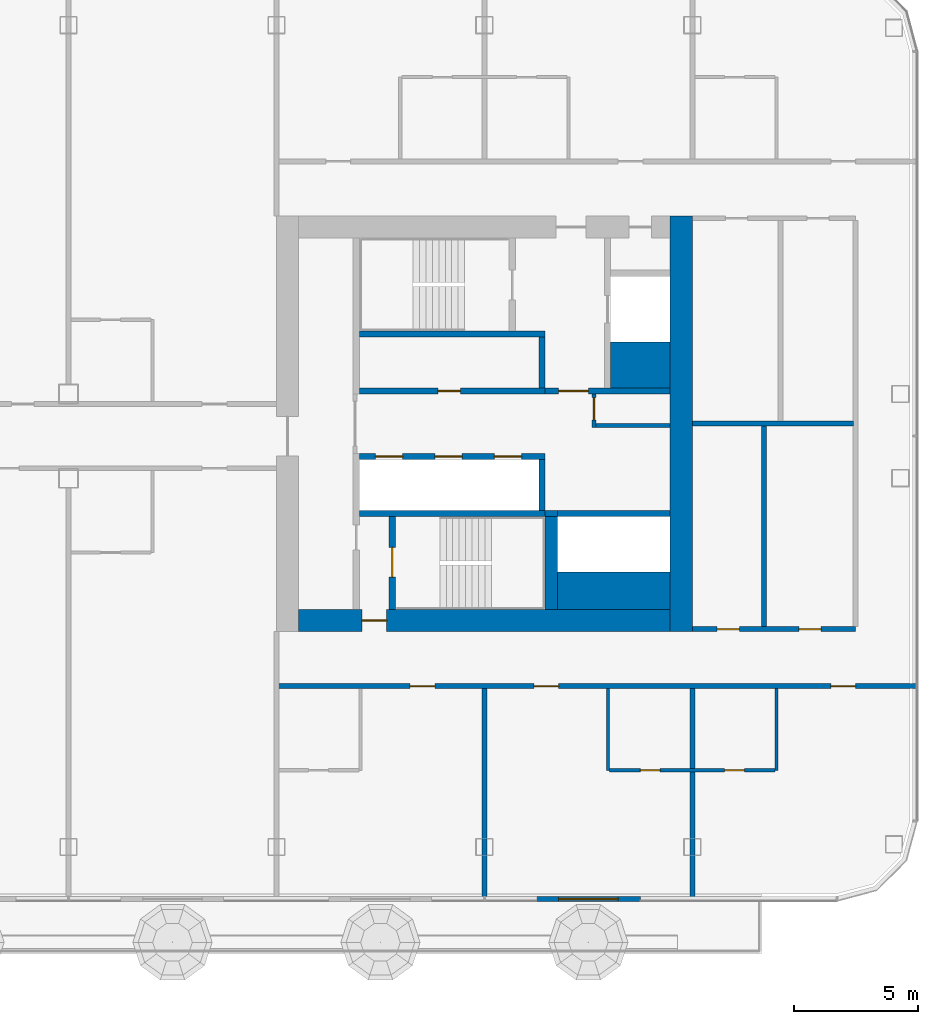
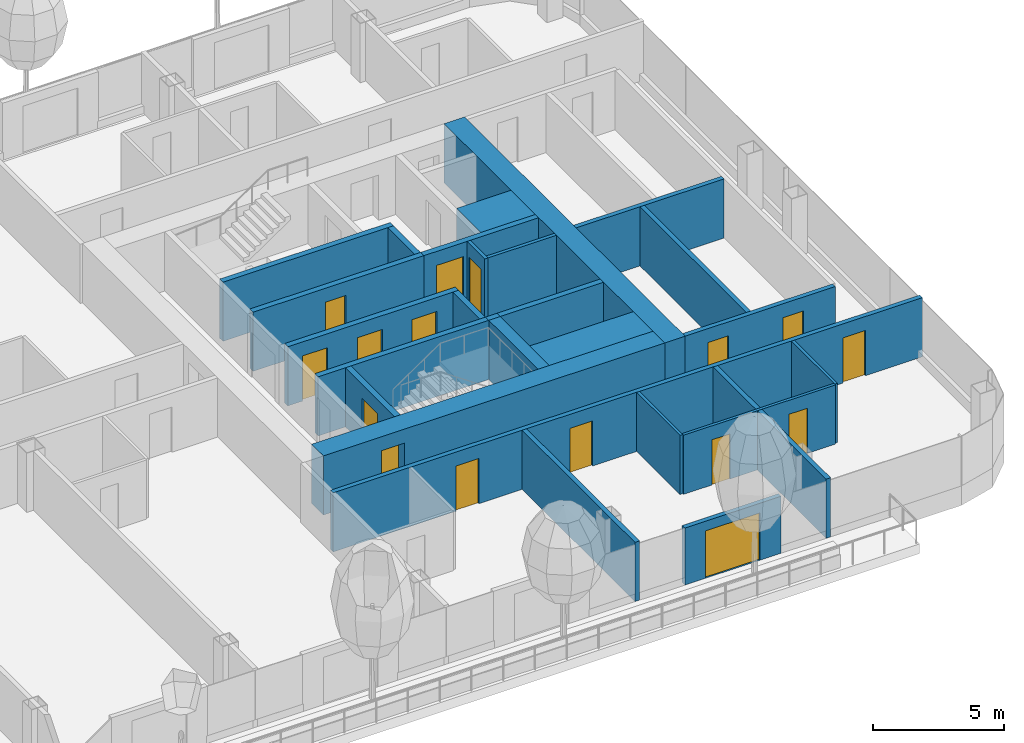
# One storey, part 14 of 29: 27 walls, 16 doors, 16 openings, 1 element without a shape of its own.
"""IFC4 building model written with IfcOpenShell, lengths in metres."""

from ifc_helpers import new_model, si_unit, direction, frame, frame_2d, origin, place, context, subcontext, project, spatial, rectangle, extrude, material, layer, layer_set, type_object, element, fill, aggregate, save


model = new_model("IFC4")

# Units and contexts
model_context = context("Model", 3, precision=1e-05, world=origin(), true_north=direction((0.0, 1.0)))
body_context = subcontext(model_context, "Body", "Model", "MODEL_VIEW")
ifc_project = project(units=[si_unit("LENGTHUNIT", "METRE"), si_unit("AREAUNIT", "SQUARE_METRE"), si_unit("VOLUMEUNIT", "CUBIC_METRE"), si_unit("PLANEANGLEUNIT", "RADIAN"), si_unit("MASSUNIT", "GRAM", prefix="KILO")], contexts=[model_context])

# Site, building, storey
site_placement = place(None, origin())
site = spatial("IfcSite", under=ifc_project, at=site_placement, CompositionType="ELEMENT")
building_placement = place(site_placement, origin())
building = spatial("IfcBuilding", under=site, at=building_placement, Name="Hakoniwa Tower and Hamabe Station Hall", CompositionType="ELEMENT")
storey_placement = place(building_placement, frame((0.0, 0.0, 163.0)))
storey = spatial("IfcBuildingStorey", under=building, at=storey_placement, Name="L46", CompositionType="ELEMENT", Elevation=163.0)

# Wall, openings, doors
ifc_material_1 = material(Name="Gypsum board partition", Category="gypsum")
ifc_layer_1 = layer(ifc_material_1, 0.125)
ifc_layer_set_1 = layer_set([ifc_layer_1], Name="Bathroom Partition 125")
wall_type_1 = type_object("IfcWallType", Name="Bathroom Partition 125", PredefinedType="PARTITIONING", material=ifc_layer_set_1)
wall_1_placement = place(storey_placement, frame((30.262451171875, -14.0, 0.0), z_axis=(0.0, 0.0, 1.0), x_axis=(1.0, 0.0, 0.0)))
wall_1 = element("IfcWall", 1, at=wall_1_placement, inside=storey, type_object=wall_type_1, Name="GW-L46-005", PredefinedType="PARTITIONING", context=body_context, shape_type="SweptSolid", body=[
    extrude(rectangle(XDim=6.675048828125, YDim=0.125, at=frame_2d((3.33740234375, 0.0))), origin(), (0.0, 0.0, 1.0), 2.75),
])
opening_1_placement = place(wall_1_placement, frame((1.237548828125, 0.0, 0.0)))
opening_1 = element("IfcOpeningElement", 2, at=opening_1_placement, cuts=wall_1, Name="Opening GD-G3A2-05", PredefinedType="OPENING", context=body_context, shape_type="SweptSolid", body=[
    extrude(rectangle(XDim=0.800048828125, YDim=2.10009765625, at=frame_2d((0.39990234375, 1.050048828125))), frame((0.0, 0.072509765625, 0.0), z_axis=(0.0, -1.0, 0.0), x_axis=(1.0, 0.0, 0.0)), (0.0, 0.0, 1.0), 0.14501953125),
])
opening_2_placement = place(wall_1_placement, frame((4.637451171875, 0.0, 0.0)))
opening_2 = element("IfcOpeningElement", 3, at=opening_2_placement, cuts=wall_1, Name="Opening GD-G3A2-06", PredefinedType="OPENING", context=body_context, shape_type="SweptSolid", body=[
    extrude(rectangle(XDim=0.800048828125, YDim=2.10009765625, at=frame_2d((0.39990234375, 1.050048828125))), frame((0.0, 0.072509765625, 0.0), z_axis=(0.0, -1.0, 0.0), x_axis=(1.0, 0.0, 0.0)), (0.0, 0.0, 1.0), 0.14501953125),
])
ifc_material_2 = material(Name="Timber door leaf", Category="wood")
door_type_1 = type_object("IfcDoorType", Name="Bathroom Door 800", OperationType="SINGLE_SWING_LEFT", PredefinedType="DOOR", material=ifc_material_2)
door_1_placement = place(opening_1_placement, origin())
door_1 = element("IfcDoor", 4, at=door_1_placement, inside=storey, type_object=door_type_1, Name="Door GD-G3A2-05", OperationType="SINGLE_SWING_LEFT", OverallHeight=2.10009765625, OverallWidth=0.800048828125, PredefinedType="DOOR", context=body_context, shape_type="SweptSolid", body=[
    extrude(rectangle(XDim=0.800048828125, YDim=2.10009765625, at=frame_2d((0.39990234375, 1.050048828125))), frame((0.0, 0.02490234375, 0.0), z_axis=(0.0, -1.0, 0.0), x_axis=(1.0, 0.0, 0.0)), (0.0, 0.0, 1.0), 0.050048828125),
])
fill(opening_1, door_1)
door_2_placement = place(opening_2_placement, origin())
door_2 = element("IfcDoor", 5, at=door_2_placement, inside=storey, type_object=door_type_1, Name="Door GD-G3A2-06", OperationType="SINGLE_SWING_RIGHT", OverallHeight=2.10009765625, OverallWidth=0.800048828125, PredefinedType="DOOR", context=body_context, shape_type="SweptSolid", body=[
    extrude(rectangle(XDim=0.800048828125, YDim=2.10009765625, at=frame_2d((0.39990234375, 1.050048828125))), frame((0.0, 0.02490234375, 0.0), z_axis=(0.0, -1.0, 0.0), x_axis=(1.0, 0.0, 0.0)), (0.0, 0.0, 1.0), 0.050048828125),
])
fill(opening_2, door_2)

# Walls
for number, where, z_axis, x_axis, name in (
    (6, (30.199951171875, -14.0, 0.0), (0.0, 0.0, 1.0), (0.0, 1.0, 0.0), "GW-L46-064"),
    (7, (37.0, -14.0, 0.0), (0.0, 0.0, 1.0), (0.0, 1.0, 0.0), "GW-L46-068"),
):
    element("IfcWall", number, at=place(storey_placement, frame(where, z_axis=z_axis, x_axis=x_axis)), inside=storey, type_object=wall_type_1, Name=name, PredefinedType="PARTITIONING", context=body_context, shape_type="SweptSolid", body=[
        extrude(rectangle(XDim=3.300048828125, YDim=0.125, at=frame_2d((1.64990234375, 0.0))), origin(), (0.0, 0.0, 1.0), 2.75),
    ])

# Wall, opening, door
ifc_material_3 = material(Name="Gypsum board partition")
ifc_layer_2 = layer(ifc_material_3, 0.14990234375)
ifc_layer_set_2 = layer_set([ifc_layer_2], Name="CORE PARTITION 150 EI 60")
wall_type_2 = type_object("IfcWallType", Name="CORE PARTITION 150 EI 60", PredefinedType="PARTITIONING", material=ifc_layer_set_2)
wall_2_placement = place(storey_placement, frame((29.625, -0.14990234375, 0.0), z_axis=(0.0, 0.0, 1.0), x_axis=(0.0, 1.0, 0.0)))
wall_2 = element("IfcWall", 8, at=wall_2_placement, inside=storey, type_object=wall_type_2, Name="Core partition PW0 east", PredefinedType="PARTITIONING", context=body_context, shape_type="SweptSolid", body=[
    extrude(rectangle(XDim=1.349853515625, YDim=0.14990234375, at=frame_2d((0.6748046875, 0.0))), origin(), (0.0, 0.0, 1.0), 2.75),
])
opening_3_placement = place(wall_2_placement, frame((0.300048828125, 0.0, 0.0)))
opening_3 = element("IfcOpeningElement", 9, at=opening_3_placement, cuts=wall_2, Name="Opening CD-E-RM1-9", PredefinedType="OPENING", context=body_context, shape_type="SweptSolid", body=[
    extrude(rectangle(XDim=0.89990234375, YDim=2.10009765625, at=frame_2d((0.449951171875, 1.050048828125))), frame((0.0, 0.0849609375, 0.0), z_axis=(0.0, -1.0, 0.0), x_axis=(1.0, 0.0, 0.0)), (0.0, 0.0, 1.0), 0.169921875),
])
ifc_material_4 = material(Name="Steel fire door", Category="steel")
door_type_2 = type_object("IfcDoorType", Name="CORE DOOR 900 FD30", OperationType="NOTDEFINED", PredefinedType="DOOR", material=ifc_material_4)
door_3_placement = place(opening_3_placement, origin())
door_3 = element("IfcDoor", 10, at=door_3_placement, inside=storey, type_object=door_type_2, Name="Store room door", OperationType="SINGLE_SWING_LEFT", OverallHeight=2.10009765625, OverallWidth=0.89990234375, PredefinedType="DOOR", context=body_context, shape_type="SweptSolid", body=[
    extrude(rectangle(XDim=0.89990234375, YDim=2.10009765625, at=frame_2d((0.449951171875, 1.050048828125))), frame((0.0, 0.02490234375, 0.0), z_axis=(0.0, -1.0, 0.0), x_axis=(1.0, 0.0, 0.0)), (0.0, 0.0, 1.0), 0.050048828125),
])
fill(opening_3, door_3)

# Walls
wall_3_placement = place(storey_placement, frame((29.699951171875, -0.074951171875, 0.0), z_axis=(0.0, 0.0, 1.0), x_axis=(1.0, 0.0, 0.0)))
element("IfcWall", 11, at=wall_3_placement, inside=storey, type_object=wall_type_2, Name="Core partition PS east", PredefinedType="PARTITIONING", context=body_context, shape_type="SweptSolid", body=[
    extrude(rectangle(XDim=3.0, YDim=0.14990234375, at=frame_2d((1.5, 0.0))), origin(), (0.0, 0.0, 1.0), 2.75),
])
ifc_material_5 = material(Name="Concrete C66", Category="concrete")
ifc_layer_3 = layer(ifc_material_5, 0.89990234375)
ifc_layer_set_3 = layer_set([ifc_layer_3], Name="CORE WALL 900 C66")
wall_type_3 = type_object("IfcWallType", Name="CORE WALL 900 C66", PredefinedType="SHEAR", material=ifc_layer_set_3)
wall_4_placement = place(storey_placement, frame((33.14990234375, -8.39990234375, 0.0), z_axis=(0.0, 0.0, 1.0), x_axis=(0.0, 1.0, 0.0)))
element("IfcWall", 12, at=wall_4_placement, inside=storey, type_object=wall_type_3, Name="Core wall OUTER east", PredefinedType="SHEAR", context=body_context, shape_type="SweptSolid", body=[
    extrude(rectangle(XDim=16.7998046875, YDim=0.89990234375, at=frame_2d((8.39990234375, 0.0))), origin(), (0.0, 0.0, 1.0), 2.75),
])

# Wall, opening, door
wall_5_placement = place(storey_placement, frame((17.699951171875, -7.949951171875, 0.0), z_axis=(0.0, 0.0, 1.0), x_axis=(1.0, 0.0, 0.0)))
wall_5 = element("IfcWall", 13, at=wall_5_placement, inside=storey, type_object=wall_type_3, Name="Core wall SOUTH east", PredefinedType="SHEAR", context=body_context, shape_type="SweptSolid", body=[
    extrude(rectangle(XDim=15.0, YDim=0.89990234375, at=frame_2d((7.5, 0.0))), origin(), (0.0, 0.0, 1.0), 2.75),
])
opening_4_placement = place(wall_5_placement, frame((2.550048828125, 0.0, 0.0)))
opening_4 = element("IfcOpeningElement", 14, at=opening_4_placement, cuts=wall_5, Name="Opening CD-E-FS3-10", PredefinedType="OPENING", context=body_context, shape_type="SweptSolid", body=[
    extrude(rectangle(XDim=1.0, YDim=2.10009765625, at=frame_2d((0.5, 1.050048828125))), frame((0.0, 0.4599609375, 0.0), z_axis=(0.0, -1.0, 0.0), x_axis=(1.0, 0.0, 0.0)), (0.0, 0.0, 1.0), 0.919921875),
])
ifc_material_6 = material(Name="Steel fire door", Category="steel")
door_type_3 = type_object("IfcDoorType", Name="CORE DOOR 1000 FD60", OperationType="NOTDEFINED", PredefinedType="DOOR", material=ifc_material_6)
door_4_placement = place(opening_4_placement, origin())
door_4 = element("IfcDoor", 15, at=door_4_placement, inside=storey, type_object=door_type_3, Name="Stair vestibule door", OperationType="SINGLE_SWING_LEFT", OverallHeight=2.10009765625, OverallWidth=1.0, PredefinedType="DOOR", context=body_context, shape_type="SweptSolid", body=[
    extrude(rectangle(XDim=1.0, YDim=2.10009765625, at=frame_2d((0.5, 1.050048828125))), frame((0.0, 0.02490234375, 0.0), z_axis=(0.0, -1.0, 0.0), x_axis=(1.0, 0.0, 0.0)), (0.0, 0.0, 1.0), 0.050048828125),
])
fill(opening_4, door_4)

# Walls
ifc_material_7 = material(Name="Concrete C66", Category="concrete")
ifc_layer_4 = layer(ifc_material_7, 1.5)
ifc_layer_set_4 = layer_set([ifc_layer_4], Name="CORE WEB WALL 1500 C66")
wall_type_4 = type_object("IfcWallType", Name="CORE WEB WALL 1500 C66", PredefinedType="SHEAR", material=ifc_layer_set_4)
wall_6_placement = place(storey_placement, frame((28.14990234375, -6.75, 0.0), z_axis=(0.0, 0.0, 1.0), x_axis=(1.0, 0.0, 0.0)))
element("IfcWall", 16, at=wall_6_placement, inside=storey, type_object=wall_type_4, Name="Core wall SER east", PredefinedType="SHEAR", context=body_context, shape_type="SweptSolid", body=[
    extrude(rectangle(XDim=4.550048828125, YDim=1.5, at=frame_2d((2.27490234375, 0.0))), origin(), (0.0, 0.0, 1.0), 2.75),
])
ifc_material_8 = material(Name="Concrete C66", Category="concrete")
ifc_layer_5 = layer(ifc_material_8, 1.85009765625)
ifc_layer_set_5 = layer_set([ifc_layer_5], Name="CORE WEB WALL 1850 C66")
wall_type_5 = type_object("IfcWallType", Name="CORE WEB WALL 1850 C66", PredefinedType="SHEAR", material=ifc_layer_set_5)
wall_7_placement = place(storey_placement, frame((30.300048828125, 2.375, 0.0), z_axis=(0.0, 0.0, 1.0), x_axis=(1.0, 0.0, 0.0)))
element("IfcWall", 17, at=wall_7_placement, inside=storey, type_object=wall_type_5, Name="Core wall CA east", PredefinedType="SHEAR", context=body_context, shape_type="SweptSolid", body=[
    extrude(rectangle(XDim=2.39990234375, YDim=1.85009765625, at=frame_2d((1.199951171875, 0.0))), origin(), (0.0, 0.0, 1.0), 2.75),
])

# Wall, opening, door
ifc_material_9 = material(Name="Concrete C66", Category="concrete")
ifc_layer_6 = layer(ifc_material_9, 0.25)
ifc_layer_set_6 = layer_set([ifc_layer_6], Name="CORE WEB WALL 250 C66")
wall_type_6 = type_object("IfcWallType", Name="CORE WEB WALL 250 C66", PredefinedType="SHEAR", material=ifc_layer_set_6)
wall_8_placement = place(storey_placement, frame((20.14990234375, 1.324951171875, 0.0), z_axis=(0.0, 0.0, 1.0), x_axis=(1.0, 0.0, 0.0)))
wall_8 = element("IfcWall", 18, at=wall_8_placement, inside=storey, type_object=wall_type_6, Name="Core wall NF east", PredefinedType="SHEAR", context=body_context, shape_type="SweptSolid", body=[
    extrude(rectangle(XDim=7.5, YDim=0.25, at=frame_2d((3.75, 0.0))), origin(), (0.0, 0.0, 1.0), 2.75),
])
opening_5_placement = place(wall_8_placement, frame((3.175048828125, 0.0, 0.0)))
opening_5 = element("IfcOpeningElement", 19, at=opening_5_placement, cuts=wall_8, Name="Opening CD-E-FRLR0-9", PredefinedType="OPENING", context=body_context, shape_type="SweptSolid", body=[
    extrude(rectangle(XDim=0.89990234375, YDim=2.10009765625, at=frame_2d((0.449951171875, 1.050048828125))), frame((0.0, 0.135009765625, 0.0), z_axis=(0.0, -1.0, 0.0), x_axis=(1.0, 0.0, 0.0)), (0.0, 0.0, 1.0), 0.27001953125),
])
door_5_placement = place(opening_5_placement, origin())
door_5 = element("IfcDoor", 20, at=door_5_placement, inside=storey, type_object=door_type_2, Name="Store room door", OperationType="SINGLE_SWING_LEFT", OverallHeight=2.10009765625, OverallWidth=0.89990234375, PredefinedType="DOOR", context=body_context, shape_type="SweptSolid", body=[
    extrude(rectangle(XDim=0.89990234375, YDim=2.10009765625, at=frame_2d((0.449951171875, 1.050048828125))), frame((0.0, 0.02490234375, 0.0), z_axis=(0.0, -1.0, 0.0), x_axis=(1.0, 0.0, 0.0)), (0.0, 0.0, 1.0), 0.050048828125),
])
fill(opening_5, door_5)

# Walls
wall_9_placement = place(storey_placement, frame((27.52490234375, 1.449951171875, 0.0), z_axis=(0.0, 0.0, 1.0), x_axis=(0.0, 1.0, 0.0)))
element("IfcWall", 21, at=wall_9_placement, inside=storey, type_object=wall_type_6, Name="Core wall NE east", PredefinedType="SHEAR", context=body_context, shape_type="SweptSolid", body=[
    extrude(rectangle(XDim=2.050048828125, YDim=0.25, at=frame_2d((1.02490234375, 0.0))), origin(), (0.0, 0.0, 1.0), 2.75),
])
wall_10_placement = place(storey_placement, frame((20.14990234375, 3.625, 0.0), z_axis=(0.0, 0.0, 1.0), x_axis=(1.0, 0.0, 0.0)))
element("IfcWall", 22, at=wall_10_placement, inside=storey, type_object=wall_type_6, Name="Core wall NR east", PredefinedType="SHEAR", context=body_context, shape_type="SweptSolid", body=[
    extrude(rectangle(XDim=7.5, YDim=0.25, at=frame_2d((3.75, 0.0))), origin(), (0.0, 0.0, 1.0), 2.75),
])

# Wall, opening, door
wall_11_placement = place(storey_placement, frame((27.64990234375, 1.324951171875, 0.0), z_axis=(0.0, 0.0, 1.0), x_axis=(1.0, 0.0, 0.0)))
wall_11 = element("IfcWall", 23, at=wall_11_placement, inside=storey, type_object=wall_type_6, Name="Core wall ELN east", PredefinedType="SHEAR", context=body_context, shape_type="SweptSolid", body=[
    extrude(rectangle(XDim=5.050048828125, YDim=0.25, at=frame_2d((2.52490234375, 0.0))), origin(), (0.0, 0.0, 1.0), 2.75),
])
opening_6_placement = place(wall_11_placement, frame((0.550048828125, 0.0, 0.0)))
opening_6 = element("IfcOpeningElement", 24, at=opening_6_placement, cuts=wall_11, Name="Opening CD-E-FL-12", PredefinedType="OPENING", context=body_context, shape_type="SweptSolid", body=[
    extrude(rectangle(XDim=1.199951171875, YDim=2.10009765625, at=frame_2d((0.60009765625, 1.050048828125))), frame((0.0, 0.135009765625, 0.0), z_axis=(0.0, -1.0, 0.0), x_axis=(1.0, 0.0, 0.0)), (0.0, 0.0, 1.0), 0.27001953125),
])
ifc_material_10 = material(Name="Steel fire door", Category="steel")
door_type_4 = type_object("IfcDoorType", Name="CORE DOOR 1200 FD60", OperationType="DOUBLE_DOOR_SINGLE_SWING", PredefinedType="DOOR", material=ifc_material_10)
door_6_placement = place(opening_6_placement, origin())
door_6 = element("IfcDoor", 25, at=door_6_placement, inside=storey, type_object=door_type_4, Name="Stair vestibule door to the fire-fighting lobby", OperationType="DOUBLE_DOOR_SINGLE_SWING", OverallHeight=2.10009765625, OverallWidth=1.199951171875, PredefinedType="DOOR", context=body_context, shape_type="SweptSolid", body=[
    extrude(rectangle(XDim=1.199951171875, YDim=2.10009765625, at=frame_2d((0.60009765625, 1.050048828125))), frame((0.0, 0.02490234375, 0.0), z_axis=(0.0, -1.0, 0.0), x_axis=(1.0, 0.0, 0.0)), (0.0, 0.0, 1.0), 0.050048828125),
])
fill(opening_6, door_6)

# Wall, openings, doors
wall_12_placement = place(storey_placement, frame((20.14990234375, -1.324951171875, 0.0), z_axis=(0.0, 0.0, 1.0), x_axis=(1.0, 0.0, 0.0)))
wall_12 = element("IfcWall", 26, at=wall_12_placement, inside=storey, type_object=wall_type_6, Name="Core wall SF east", PredefinedType="SHEAR", context=body_context, shape_type="SweptSolid", body=[
    extrude(rectangle(XDim=7.5, YDim=0.25, at=frame_2d((3.75, 0.0))), origin(), (0.0, 0.0, 1.0), 2.75),
])
opening_7_placement = place(wall_12_placement, frame((0.64990234375, 0.0, 0.0)))
opening_7 = element("IfcOpeningElement", 27, at=opening_7_placement, cuts=wall_12, Name="Opening LD-HR4", PredefinedType="OPENING", context=body_context, shape_type="SweptSolid", body=[
    extrude(rectangle(XDim=1.10009765625, YDim=2.10009765625, at=frame_2d((0.550048828125, 1.050048828125))), frame((0.0, 0.135009765625, 0.0), z_axis=(0.0, -1.0, 0.0), x_axis=(1.0, 0.0, 0.0)), (0.0, 0.0, 1.0), 0.27001953125),
])
opening_8_placement = place(wall_12_placement, frame((3.050048828125, 0.0, 0.0)))
opening_8 = element("IfcOpeningElement", 28, at=opening_8_placement, cuts=wall_12, Name="Opening LD-HR5", PredefinedType="OPENING", context=body_context, shape_type="SweptSolid", body=[
    extrude(rectangle(XDim=1.10009765625, YDim=2.10009765625, at=frame_2d((0.550048828125, 1.050048828125))), frame((0.0, 0.135009765625, 0.0), z_axis=(0.0, -1.0, 0.0), x_axis=(1.0, 0.0, 0.0)), (0.0, 0.0, 1.0), 0.27001953125),
])
opening_9_placement = place(wall_12_placement, frame((5.449951171875, 0.0, 0.0)))
opening_9 = element("IfcOpeningElement", 29, at=opening_9_placement, cuts=wall_12, Name="Opening LD-HR6", PredefinedType="OPENING", context=body_context, shape_type="SweptSolid", body=[
    extrude(rectangle(XDim=1.10009765625, YDim=2.10009765625, at=frame_2d((0.550048828125, 1.050048828125))), frame((0.0, 0.135009765625, 0.0), z_axis=(0.0, -1.0, 0.0), x_axis=(1.0, 0.0, 0.0)), (0.0, 0.0, 1.0), 0.27001953125),
])
ifc_material_11 = material(Name="Stainless steel SUS304", Category="steel")
door_type_5 = type_object("IfcDoorType", Name="LIFT LANDING DOOR 1100 FD60", OperationType="DOUBLE_DOOR_SLIDING", PredefinedType="DOOR", material=ifc_material_11)
door_7_placement = place(opening_7_placement, origin())
door_7 = element("IfcDoor", 30, at=door_7_placement, inside=storey, type_object=door_type_5, Name="Lift landing door HR4 L46", OperationType="DOUBLE_DOOR_SLIDING", OverallHeight=2.10009765625, OverallWidth=1.10009765625, PredefinedType="DOOR", context=body_context, shape_type="SweptSolid", body=[
    extrude(rectangle(XDim=1.10009765625, YDim=2.10009765625, at=frame_2d((0.550048828125, 1.050048828125))), frame((0.0, 0.02490234375, 0.0), z_axis=(0.0, -1.0, 0.0), x_axis=(1.0, 0.0, 0.0)), (0.0, 0.0, 1.0), 0.050048828125),
])
fill(opening_7, door_7)
door_8_placement = place(opening_8_placement, origin())
door_8 = element("IfcDoor", 31, at=door_8_placement, inside=storey, type_object=door_type_5, Name="Lift landing door HR5 L46", OperationType="DOUBLE_DOOR_SLIDING", OverallHeight=2.10009765625, OverallWidth=1.10009765625, PredefinedType="DOOR", context=body_context, shape_type="SweptSolid", body=[
    extrude(rectangle(XDim=1.10009765625, YDim=2.10009765625, at=frame_2d((0.550048828125, 1.050048828125))), frame((0.0, 0.02490234375, 0.0), z_axis=(0.0, -1.0, 0.0), x_axis=(1.0, 0.0, 0.0)), (0.0, 0.0, 1.0), 0.050048828125),
])
fill(opening_8, door_8)
door_9_placement = place(opening_9_placement, origin())
door_9 = element("IfcDoor", 32, at=door_9_placement, inside=storey, type_object=door_type_5, Name="Lift landing door HR6 L46", OperationType="DOUBLE_DOOR_SLIDING", OverallHeight=2.10009765625, OverallWidth=1.10009765625, PredefinedType="DOOR", context=body_context, shape_type="SweptSolid", body=[
    extrude(rectangle(XDim=1.10009765625, YDim=2.10009765625, at=frame_2d((0.550048828125, 1.050048828125))), frame((0.0, 0.02490234375, 0.0), z_axis=(0.0, -1.0, 0.0), x_axis=(1.0, 0.0, 0.0)), (0.0, 0.0, 1.0), 0.050048828125),
])
fill(opening_9, door_9)

# Walls
wall_13_placement = place(storey_placement, frame((27.52490234375, -3.5, 0.0), z_axis=(0.0, 0.0, 1.0), x_axis=(0.0, 1.0, 0.0)))
element("IfcWall", 33, at=wall_13_placement, inside=storey, type_object=wall_type_6, Name="Core wall SE east", PredefinedType="SHEAR", context=body_context, shape_type="SweptSolid", body=[
    extrude(rectangle(XDim=2.050048828125, YDim=0.25, at=frame_2d((1.02490234375, 0.0))), origin(), (0.0, 0.0, 1.0), 2.75),
])
wall_14_placement = place(storey_placement, frame((20.14990234375, -3.625, 0.0), z_axis=(0.0, 0.0, 1.0), x_axis=(1.0, 0.0, 0.0)))
element("IfcWall", 34, at=wall_14_placement, inside=storey, type_object=wall_type_6, Name="Core wall SR east", PredefinedType="SHEAR", context=body_context, shape_type="SweptSolid", body=[
    extrude(rectangle(XDim=7.5, YDim=0.25, at=frame_2d((3.75, 0.0))), origin(), (0.0, 0.0, 1.0), 2.75),
])

# Wall, opening, door
wall_15_placement = place(storey_placement, frame((21.47509765625, -7.5, 0.0), z_axis=(0.0, 0.0, 1.0), x_axis=(0.0, 1.0, 0.0)))
wall_15 = element("IfcWall", 35, at=wall_15_placement, inside=storey, type_object=wall_type_6, Name="Core wall VE east", PredefinedType="SHEAR", context=body_context, shape_type="SweptSolid", body=[
    extrude(rectangle(XDim=3.75, YDim=0.25, at=frame_2d((1.875, 0.0))), origin(), (0.0, 0.0, 1.0), 2.75),
])
opening_10_placement = place(wall_15_placement, frame((1.300048828125, 0.0, 0.0)))
opening_10 = element("IfcOpeningElement", 36, at=opening_10_placement, cuts=wall_15, Name="Opening CD-E-SS-12", PredefinedType="OPENING", context=body_context, shape_type="SweptSolid", body=[
    extrude(rectangle(XDim=1.199951171875, YDim=2.10009765625, at=frame_2d((0.60009765625, 1.050048828125))), frame((0.0, 0.135009765625, 0.0), z_axis=(0.0, -1.0, 0.0), x_axis=(1.0, 0.0, 0.0)), (0.0, 0.0, 1.0), 0.27001953125),
])
door_10_placement = place(opening_10_placement, origin())
door_10 = element("IfcDoor", 37, at=door_10_placement, inside=storey, type_object=door_type_4, Name="Escape stair door", OperationType="DOUBLE_DOOR_SINGLE_SWING", OverallHeight=2.10009765625, OverallWidth=1.199951171875, PredefinedType="DOOR", context=body_context, shape_type="SweptSolid", body=[
    extrude(rectangle(XDim=1.199951171875, YDim=2.10009765625, at=frame_2d((0.60009765625, 1.050048828125))), frame((0.0, 0.02490234375, 0.0), z_axis=(0.0, -1.0, 0.0), x_axis=(1.0, 0.0, 0.0)), (0.0, 0.0, 1.0), 0.050048828125),
])
fill(opening_10, door_10)

# Walls
wall_16_placement = place(storey_placement, frame((28.14990234375, -3.625, 0.0), z_axis=(0.0, 0.0, 1.0), x_axis=(1.0, 0.0, 0.0)))
element("IfcWall", 38, at=wall_16_placement, inside=storey, type_object=wall_type_6, Name="Core wall SEF east", PredefinedType="SHEAR", context=body_context, shape_type="SweptSolid", body=[
    extrude(rectangle(XDim=4.550048828125, YDim=0.25, at=frame_2d((2.27490234375, 0.0))), origin(), (0.0, 0.0, 1.0), 2.75),
])
wall_17_placement = place(storey_placement, frame((27.64990234375, -3.625, 0.0), z_axis=(0.0, 0.0, 1.0), x_axis=(1.0, 0.0, 0.0)))
element("IfcWall", 39, at=wall_17_placement, inside=storey, type_object=wall_type_6, Name="Core wall SRK east", PredefinedType="SHEAR", context=body_context, shape_type="SweptSolid", body=[
    extrude(rectangle(XDim=0.5, YDim=0.25, at=frame_2d((0.25, 0.0))), origin(), (0.0, 0.0, 1.0), 2.75),
])
ifc_material_12 = material(Name="Concrete C66", Category="concrete")
ifc_layer_7 = layer(ifc_material_12, 0.5)
ifc_layer_set_7 = layer_set([ifc_layer_7], Name="CORE WEB WALL 500 C66")
wall_type_7 = type_object("IfcWallType", Name="CORE WEB WALL 500 C66", PredefinedType="SHEAR", material=ifc_layer_set_7)
wall_18_placement = place(storey_placement, frame((27.89990234375, -7.5, 0.0), z_axis=(0.0, 0.0, 1.0), x_axis=(0.0, 1.0, 0.0)))
element("IfcWall", 40, at=wall_18_placement, inside=storey, type_object=wall_type_7, Name="Core wall SSE east", PredefinedType="SHEAR", context=body_context, shape_type="SweptSolid", body=[
    extrude(rectangle(XDim=3.75, YDim=0.5, at=frame_2d((1.875, 0.0))), origin(), (0.0, 0.0, 1.0), 2.75),
])

# Wall, openings, doors
ifc_material_13 = material(Name="Fire-rated gypsum board partition", Category="gypsum")
ifc_layer_8 = layer(ifc_material_13, 0.199951171875)
ifc_layer_set_8 = layer_set([ifc_layer_8], Name="Corridor Wall 200")
wall_type_8 = type_object("IfcWallType", Name="Corridor Wall 200", PredefinedType="PARTITIONING", material=ifc_layer_set_8)
wall_19_placement = place(storey_placement, frame((16.800048828125, -10.60009765625, 0.0), z_axis=(0.0, 0.0, 1.0), x_axis=(1.0, 0.0, 0.0)))
wall_19 = element("IfcWall", 41, at=wall_19_placement, inside=storey, type_object=wall_type_8, Name="GW-L46-007", PredefinedType="PARTITIONING", context=body_context, shape_type="SweptSolid", body=[
    extrude(rectangle(XDim=25.89990234375, YDim=0.199951171875, at=frame_2d((12.949951171875, 0.0))), origin(), (0.0, 0.0, 1.0), 2.75),
])
opening_11_placement = place(wall_19_placement, frame((5.39990234375, 0.0, 0.0)))
opening_11 = element("IfcOpeningElement", 42, at=opening_11_placement, cuts=wall_19, Name="Opening GD-G3A2-10", PredefinedType="OPENING", context=body_context, shape_type="SweptSolid", body=[
    extrude(rectangle(XDim=1.0, YDim=2.10009765625, at=frame_2d((0.5, 1.050048828125))), frame((0.0, 0.10986328125, 0.0), z_axis=(0.0, -1.0, 0.0), x_axis=(1.0, 0.0, 0.0)), (0.0, 0.0, 1.0), 0.219970703125),
])
opening_12_placement = place(wall_19_placement, frame((10.39990234375, 0.0, 0.0)))
opening_12 = element("IfcOpeningElement", 43, at=opening_12_placement, cuts=wall_19, Name="Opening GD-G3A2-11", PredefinedType="OPENING", context=body_context, shape_type="SweptSolid", body=[
    extrude(rectangle(XDim=1.0, YDim=2.10009765625, at=frame_2d((0.5, 1.050048828125))), frame((0.0, 0.10986328125, 0.0), z_axis=(0.0, -1.0, 0.0), x_axis=(1.0, 0.0, 0.0)), (0.0, 0.0, 1.0), 0.219970703125),
])
opening_13_placement = place(wall_19_placement, frame((22.39990234375, 0.0, 0.0)))
opening_13 = element("IfcOpeningElement", 44, at=opening_13_placement, cuts=wall_19, Name="Opening GD-G3A2-12", PredefinedType="OPENING", context=body_context, shape_type="SweptSolid", body=[
    extrude(rectangle(XDim=1.0, YDim=2.10009765625, at=frame_2d((0.5, 1.050048828125))), frame((0.0, 0.10986328125, 0.0), z_axis=(0.0, -1.0, 0.0), x_axis=(1.0, 0.0, 0.0)), (0.0, 0.0, 1.0), 0.219970703125),
])
ifc_material_14 = material(Name="Timber door leaf", Category="wood")
door_type_6 = type_object("IfcDoorType", Name="Guest Entrance Door 1000", OperationType="SINGLE_SWING_LEFT", PredefinedType="DOOR", material=ifc_material_14)
door_11_placement = place(opening_11_placement, origin())
door_11 = element("IfcDoor", 45, at=door_11_placement, inside=storey, type_object=door_type_6, Name="Door GD-G3A2-10", OperationType="SINGLE_SWING_RIGHT", OverallHeight=2.10009765625, OverallWidth=1.0, PredefinedType="DOOR", context=body_context, shape_type="SweptSolid", body=[
    extrude(rectangle(XDim=1.0, YDim=2.10009765625, at=frame_2d((0.5, 1.050048828125))), frame((0.0, 0.02490234375, 0.0), z_axis=(0.0, -1.0, 0.0), x_axis=(1.0, 0.0, 0.0)), (0.0, 0.0, 1.0), 0.050048828125),
])
fill(opening_11, door_11)
door_12_placement = place(opening_12_placement, origin())
door_12 = element("IfcDoor", 46, at=door_12_placement, inside=storey, type_object=door_type_6, Name="Door GD-G3A2-11", OperationType="SINGLE_SWING_LEFT", OverallHeight=2.10009765625, OverallWidth=1.0, PredefinedType="DOOR", context=body_context, shape_type="SweptSolid", body=[
    extrude(rectangle(XDim=1.0, YDim=2.10009765625, at=frame_2d((0.5, 1.050048828125))), frame((0.0, 0.02490234375, 0.0), z_axis=(0.0, -1.0, 0.0), x_axis=(1.0, 0.0, 0.0)), (0.0, 0.0, 1.0), 0.050048828125),
])
fill(opening_12, door_12)
door_13_placement = place(opening_13_placement, origin())
door_13 = element("IfcDoor", 47, at=door_13_placement, inside=storey, type_object=door_type_6, Name="Door GD-G3A2-12", OperationType="SINGLE_SWING_RIGHT", OverallHeight=2.10009765625, OverallWidth=1.0, PredefinedType="DOOR", context=body_context, shape_type="SweptSolid", body=[
    extrude(rectangle(XDim=1.0, YDim=2.10009765625, at=frame_2d((0.5, 1.050048828125))), frame((0.0, 0.02490234375, 0.0), z_axis=(0.0, -1.0, 0.0), x_axis=(1.0, 0.0, 0.0)), (0.0, 0.0, 1.0), 0.050048828125),
])
fill(opening_13, door_13)

wall_20_placement = place(storey_placement, frame((33.60009765625, -8.300048828125, 0.0), z_axis=(0.0, 0.0, 1.0), x_axis=(1.0, 0.0, 0.0)))
wall_20 = element("IfcWall", 48, at=wall_20_placement, inside=storey, type_object=wall_type_8, Name="GW-L46-009", PredefinedType="PARTITIONING", context=body_context, shape_type="SweptSolid", body=[
    extrude(rectangle(XDim=6.599853515625, YDim=0.199951171875, at=frame_2d((3.2998046875, 0.0))), origin(), (0.0, 0.0, 1.0), 2.75),
])
opening_14_placement = place(wall_20_placement, frame((1.0, 0.0, 0.0)))
opening_14 = element("IfcOpeningElement", 49, at=opening_14_placement, cuts=wall_20, Name="Opening GD-G3A2-15", PredefinedType="OPENING", context=body_context, shape_type="SweptSolid", body=[
    extrude(rectangle(XDim=0.89990234375, YDim=2.10009765625, at=frame_2d((0.449951171875, 1.050048828125))), frame((0.0, 0.10986328125, 0.0), z_axis=(0.0, -1.0, 0.0), x_axis=(1.0, 0.0, 0.0)), (0.0, 0.0, 1.0), 0.219970703125),
])
opening_15_placement = place(wall_20_placement, frame((4.300048828125, 0.0, 0.0)))
opening_15 = element("IfcOpeningElement", 50, at=opening_15_placement, cuts=wall_20, Name="Opening GD-G3A2-16", PredefinedType="OPENING", context=body_context, shape_type="SweptSolid", body=[
    extrude(rectangle(XDim=0.89990234375, YDim=2.10009765625, at=frame_2d((0.449951171875, 1.050048828125))), frame((0.0, 0.10986328125, 0.0), z_axis=(0.0, -1.0, 0.0), x_axis=(1.0, 0.0, 0.0)), (0.0, 0.0, 1.0), 0.219970703125),
])
ifc_material_15 = material(Name="Timber door leaf", Category="wood")
door_type_7 = type_object("IfcDoorType", Name="Service Door 900", OperationType="SINGLE_SWING_LEFT", PredefinedType="DOOR", material=ifc_material_15)
door_14_placement = place(opening_14_placement, origin())
door_14 = element("IfcDoor", 51, at=door_14_placement, inside=storey, type_object=door_type_7, Name="Door GD-G3A2-15", OperationType="SINGLE_SWING_LEFT", OverallHeight=2.10009765625, OverallWidth=0.89990234375, PredefinedType="DOOR", context=body_context, shape_type="SweptSolid", body=[
    extrude(rectangle(XDim=0.89990234375, YDim=2.10009765625, at=frame_2d((0.449951171875, 1.050048828125))), frame((0.0, 0.02490234375, 0.0), z_axis=(0.0, -1.0, 0.0), x_axis=(1.0, 0.0, 0.0)), (0.0, 0.0, 1.0), 0.050048828125),
])
fill(opening_14, door_14)
door_15_placement = place(opening_15_placement, origin())
door_15 = element("IfcDoor", 52, at=door_15_placement, inside=storey, type_object=door_type_7, Name="Door GD-G3A2-16", OperationType="SINGLE_SWING_LEFT", OverallHeight=2.10009765625, OverallWidth=0.89990234375, PredefinedType="DOOR", context=body_context, shape_type="SweptSolid", body=[
    extrude(rectangle(XDim=0.89990234375, YDim=2.10009765625, at=frame_2d((0.449951171875, 1.050048828125))), frame((0.0, 0.02490234375, 0.0), z_axis=(0.0, -1.0, 0.0), x_axis=(1.0, 0.0, 0.0)), (0.0, 0.0, 1.0), 0.050048828125),
])
fill(opening_15, door_15)

# Curtain wall, wall, opening, door
ifc_material_16 = material(Name="Dark low-e laminated glass", Category="glass")
ifc_layer_9 = layer(ifc_material_16, 0.199951171875)
ifc_layer_set_9 = layer_set([ifc_layer_9], Name="CW-1 UNITISED GUEST")
curtain_wall_type = type_object("IfcCurtainWallType", Name="CW-1 UNITISED GUEST", PredefinedType="NOTDEFINED", material=ifc_layer_set_9)
curtain_wall_placement = place(storey_placement, origin())
curtain_wall = element("IfcCurtainWall", 53, at=curtain_wall_placement, inside=storey, type_object=curtain_wall_type, Name="CW-1 curtain wall", PredefinedType="NOTDEFINED")
ifc_material_17 = material(Name="Dark glass-faced aluminium panel", Category="aluminium")
ifc_layer_10 = layer(ifc_material_17, 0.199951171875)
ifc_layer_set_10 = layer_set([ifc_layer_10], Name="DOOR BAY WALL")
wall_type_9 = type_object("IfcWallType", Name="DOOR BAY WALL", PredefinedType="NOTDEFINED", material=ifc_layer_set_10)
wall_21_placement = place(storey_placement, frame((27.2900390625, -19.199951171875, 0.0), z_axis=(0.0, 0.0, 1.0), x_axis=(1.0, 0.0, 0.0)))
wall_21 = element("IfcWall", 54, at=wall_21_placement, type_object=wall_type_9, Name="Door bay wall", PredefinedType="NOTDEFINED", context=body_context, shape_type="SweptSolid", body=[
    extrude(rectangle(XDim=4.219970703125, YDim=0.199951171875, at=frame_2d((2.10986328125, 0.0))), origin(), (0.0, 0.0, 1.0), 2.64990234375),
])
opening_16_placement = place(wall_21_placement, frame((0.909912109375, 0.0, 0.0)))
opening_16 = element("IfcOpeningElement", 55, at=opening_16_placement, cuts=wall_21, Name="Opening BD-S07-9", PredefinedType="OPENING", context=body_context, shape_type="SweptSolid", body=[
    extrude(rectangle(XDim=2.39990234375, YDim=2.199951171875, at=frame_2d((1.199951171875, 1.10009765625))), frame((0.0, 0.10986328125, 0.0), z_axis=(0.0, -1.0, 0.0), x_axis=(1.0, 0.0, 0.0)), (0.0, 0.0, 1.0), 0.219970703125),
])
ifc_material_18 = material(Name="Dark low-e laminated glass", Category="glass")
door_type_8 = type_object("IfcDoorType", Name="BALCONY SLIDING DOOR 2400X2200", OperationType="SLIDING_TO_LEFT", PredefinedType="DOOR", material=ifc_material_18)
door_16_placement = place(opening_16_placement, frame((2.39990234375, 0.0, 0.0), z_axis=(0.0, 0.0, 1.0), x_axis=(-1.0, 0.0, 0.0)))
door_16 = element("IfcDoor", 56, at=door_16_placement, inside=storey, type_object=door_type_8, Name="Balcony sliding door", OperationType="SLIDING_TO_LEFT", OverallHeight=2.199951171875, OverallWidth=2.39990234375, PredefinedType="DOOR", context=body_context, shape_type="SweptSolid", body=[
    extrude(rectangle(XDim=2.39990234375, YDim=2.199951171875, at=frame_2d((1.199951171875, 1.10009765625))), frame((0.0, 0.02490234375, 0.0), z_axis=(0.0, -1.0, 0.0), x_axis=(1.0, 0.0, 0.0)), (0.0, 0.0, 1.0), 0.050048828125),
])
fill(opening_16, door_16)
aggregate(curtain_wall, [wall_21])

# Walls
ifc_material_19 = material(Name="Fire-rated gypsum board partition", Category="gypsum")
ifc_layer_11 = layer(ifc_material_19, 0.199951171875)
ifc_layer_set_11 = layer_set([ifc_layer_11], Name="Party Wall 200")
wall_type_10 = type_object("IfcWallType", Name="Party Wall 200", PredefinedType="PARTITIONING", material=ifc_layer_set_11)
wall_22_placement = place(storey_placement, frame((33.60009765625, 0.0, 0.0), z_axis=(0.0, 0.0, 1.0), x_axis=(1.0, 0.0, 0.0)))
element("IfcWall", 57, at=wall_22_placement, inside=storey, type_object=wall_type_10, Name="GW-L46-015", PredefinedType="PARTITIONING", context=body_context, shape_type="SweptSolid", body=[
    extrude(rectangle(XDim=6.5, YDim=0.199951171875, at=frame_2d((3.25, 0.0))), origin(), (0.0, 0.0, 1.0), 2.75),
])
for number, where, z_axis, x_axis, name in (
    (58, (25.199951171875, -19.300048828125, 0.0), (0.0, 0.0, 1.0), (0.0, 1.0, 0.0), "GW-L46-061"),
    (59, (33.60009765625, -19.300048828125, 0.0), (0.0, 0.0, 1.0), (0.0, 1.0, 0.0), "GW-L46-065"),
):
    element("IfcWall", number, at=place(storey_placement, frame(where, z_axis=z_axis, x_axis=x_axis)), inside=storey, type_object=wall_type_10, Name=name, PredefinedType="PARTITIONING", context=body_context, shape_type="SweptSolid", body=[
        extrude(rectangle(XDim=8.60009765625, YDim=0.199951171875, at=frame_2d((4.300048828125, 0.0))), origin(), (0.0, 0.0, 1.0), 2.75),
    ])
wall_23_placement = place(storey_placement, frame((36.5, -8.199951171875, 0.0), z_axis=(0.0, 0.0, 1.0), x_axis=(0.0, 1.0, 0.0)))
element("IfcWall", 60, at=wall_23_placement, inside=storey, type_object=wall_type_10, Name="GW-L46-067", PredefinedType="PARTITIONING", context=body_context, shape_type="SweptSolid", body=[
    extrude(rectangle(XDim=8.199951171875, YDim=0.199951171875, at=frame_2d((4.10009765625, 0.0))), origin(), (0.0, 0.0, 1.0), 2.75),
])

save(model, "model.ifc")
